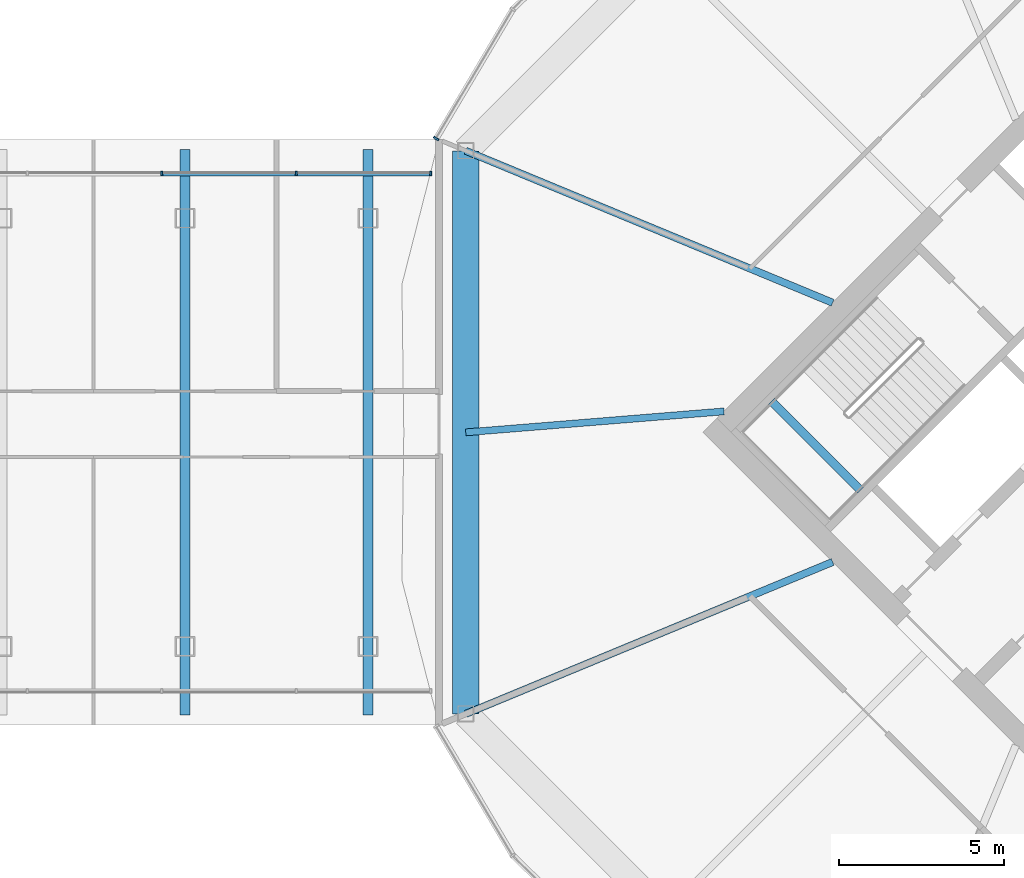
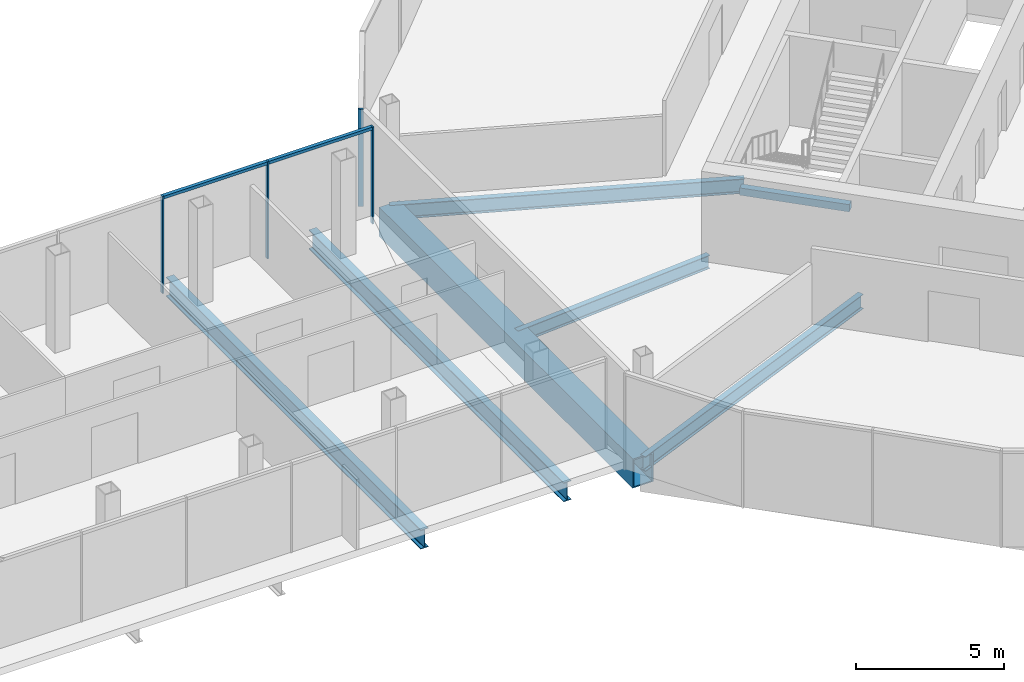
# One storey, part 14 of 26: 7 beams, 6 members, 2 elements without a shape of their own.
"""IFC4 building model written with IfcOpenShell, lengths in metres."""

from ifc_helpers import new_model, si_unit, direction, frame, origin, origin_2d, place, context, subcontext, project, spatial, rectangle, hollow_rectangle, i_section, extrude, material, material_profile, profile_set, type_object, element, aggregate, save


model = new_model("IFC4")

# Units and contexts
model_context = context("Model", 3, precision=1e-05, world=origin(), true_north=direction((0.0, 1.0)))
body_context = subcontext(model_context, "Body", "Model", "MODEL_VIEW")
ifc_project = project(units=[si_unit("LENGTHUNIT", "METRE"), si_unit("AREAUNIT", "SQUARE_METRE"), si_unit("VOLUMEUNIT", "CUBIC_METRE"), si_unit("PLANEANGLEUNIT", "RADIAN"), si_unit("MASSUNIT", "GRAM", prefix="KILO")], contexts=[model_context])

# Site, building, storey
site_placement = place(None, origin())
site = spatial("IfcSite", under=ifc_project, at=site_placement, CompositionType="ELEMENT")
building_placement = place(site_placement, origin())
building = spatial("IfcBuilding", under=site, at=building_placement, Name="Ogive Gate Towers", CompositionType="ELEMENT")
storey_placement = place(building_placement, frame((0.0, 0.0, 148.800048828125)))
storey = spatial("IfcBuildingStorey", under=building, at=storey_placement, Name="L35", CompositionType="ELEMENT", Elevation=148.800048828125)

# Beams
ifc_material_1 = material(Name="Steel SM460", Category="steel")
ifc_material_profile_1 = material_profile(ifc_material_1, i_section(OverallWidth=0.300048828125, OverallDepth=0.7900390625, WebThickness=0.014892578125, FlangeThickness=0.028076171875, FilletRadius=0.030029296875, at=origin_2d()), Name="HE 800 A")
ifc_profile_set_1 = profile_set([ifc_material_profile_1], Name="Steel SM460")
beam_type_1 = type_object("IfcBeamType", Name="Block floor beam HE 800 A", PredefinedType="BEAM", material=ifc_profile_set_1)
for number, where, z_axis, x_axis, name in (
    (1, (6.8388671875, -8.5859375, -0.695068359375), (0.0, 1.0, 0.0), (-1.0, 0.0, 0.0), "BR/L35/SBM004"),
    (2, (12.3955078125, -8.5859375, -0.695068359375), (0.0, 1.0, 0.0), (-1.0, 0.0, 0.0), "BR/L35/SBM005"),
):
    element("IfcBeam", number, at=place(storey_placement, frame(where, z_axis=z_axis, x_axis=x_axis)), inside=storey, type_object=beam_type_1, Name=name, PredefinedType="BEAM", context=body_context, shape_type="SweptSolid", body=[
        extrude(i_section(OverallWidth=0.300048828125, OverallDepth=0.7900390625, WebThickness=0.014892578125, FlangeThickness=0.028076171875, FilletRadius=0.030029296875, at=origin_2d()), origin(), (0.0, 0.0, 1.0), 17.171875),
    ])
ifc_material_profile_2 = material_profile(ifc_material_1, hollow_rectangle(XDim=0.800048828125, YDim=1.199951171875, WallThickness=0.050048828125, at=origin_2d()), Name="BX 1200x800x50")
ifc_profile_set_2 = profile_set([ifc_material_profile_2], Name="Steel SM460")
beam_type_2 = type_object("IfcBeamType", Name="Edge girder BX 1200x800x50", PredefinedType="BEAM", material=ifc_profile_set_2)
beam_1_placement = place(storey_placement, frame((15.360595703125, 8.549072265625, -0.900146484375), z_axis=(0.0, -1.0, 0.0), x_axis=(1.0, 0.0, 0.0)))
element("IfcBeam", 3, at=beam_1_placement, inside=storey, type_object=beam_type_2, Name="T2/L35/SBM024", PredefinedType="BEAM", context=body_context, shape_type="SweptSolid", body=[
    extrude(hollow_rectangle(XDim=0.800048828125, YDim=1.199951171875, WallThickness=0.050048828125, at=origin_2d()), origin(), (0.0, 0.0, 1.0), 17.09814453125),
])

# Curtain wall, members
ifc_material_2 = material(Name="Pale metal aluminium", Category="aluminium")
curtain_wall_type_1 = type_object("IfcCurtainWallType", Name="Gate block facade", PredefinedType="NOTDEFINED", material=ifc_material_2)
curtain_wall_1_placement = place(storey_placement, origin())
curtain_wall_1 = element("IfcCurtainWall", 4, at=curtain_wall_1_placement, inside=storey, type_object=curtain_wall_type_1, Name="CW3 BR ECW02", PredefinedType="NOTDEFINED")
ifc_material_profile_3 = material_profile(ifc_material_2, rectangle(XDim=0.139892578125, YDim=0.06005859375, at=origin_2d()), Name="60 x 140 aluminium box")
ifc_profile_set_3 = profile_set([ifc_material_profile_3], Name="Pale metal aluminium")
member_type_1 = type_object("IfcMemberType", Name="Gate block facade mullion 60 x 140", PredefinedType="MULLION", material=ifc_profile_set_3)
member_1_placement = place(storey_placement, frame((14.29150390625, 7.85595703125, -0.300048828125), z_axis=(0.0, 0.0, 1.0), x_axis=(0.0, 1.0, 0.0)))
member_1 = element("IfcMember", 5, at=member_1_placement, type_object=member_type_1, Name="CW3 mullion", PredefinedType="MULLION", context=body_context, shape_type="SweptSolid", body=[
    extrude(rectangle(XDim=0.139892578125, YDim=0.06005859375, at=origin_2d()), origin(), (0.0, 0.0, 1.0), 4.0),
])
member_2_placement = place(storey_placement, frame((10.208251953125, 7.85595703125, -0.300048828125), z_axis=(0.0, 0.0, 1.0), x_axis=(0.0, 1.0, 0.0)))
member_2 = element("IfcMember", 6, at=member_2_placement, type_object=member_type_1, Name="CW3 mullion", PredefinedType="MULLION", context=body_context, shape_type="SweptSolid", body=[
    extrude(rectangle(XDim=0.139892578125, YDim=0.06005859375, at=origin_2d()), origin(), (0.0, 0.0, 1.0), 4.0),
])
member_3_placement = place(storey_placement, frame((6.125, 7.85595703125, -0.300048828125), z_axis=(0.0, 0.0, 1.0), x_axis=(0.0, 1.0, 0.0)))
member_3 = element("IfcMember", 7, at=member_3_placement, type_object=member_type_1, Name="CW3 mullion", PredefinedType="MULLION", context=body_context, shape_type="SweptSolid", body=[
    extrude(rectangle(XDim=0.139892578125, YDim=0.06005859375, at=origin_2d()), origin(), (0.0, 0.0, 1.0), 4.0),
])
ifc_material_profile_4 = material_profile(ifc_material_2, rectangle(XDim=0.139892578125, YDim=0.1201171875, at=origin_2d()), Name="120 x 140 aluminium box")
ifc_profile_set_4 = profile_set([ifc_material_profile_4], Name="Pale metal aluminium")
member_type_2 = type_object("IfcMemberType", Name="Gate block facade transom 120 x 140", PredefinedType="USERDEFINED", material=ifc_profile_set_4)
member_4_placement = place(storey_placement, frame((14.261474609375, 7.85595703125, 3.639892578125), z_axis=(-1.0, 0.0, 0.0), x_axis=(0.0, -1.0, 0.0)))
member_4 = element("IfcMember", 8, at=member_4_placement, type_object=member_type_2, Name="CW3 transom", ObjectType="TRANSOM", PredefinedType="USERDEFINED", context=body_context, shape_type="SweptSolid", body=[
    extrude(rectangle(XDim=0.139892578125, YDim=0.1201171875, at=origin_2d()), origin(), (0.0, 0.0, 1.0), 4.023193359375),
])
member_5_placement = place(storey_placement, frame((10.17822265625, 7.85595703125, 3.639892578125), z_axis=(-1.0, 0.0, 0.0), x_axis=(0.0, -1.0, 0.0)))
member_5 = element("IfcMember", 9, at=member_5_placement, type_object=member_type_2, Name="CW3 transom", ObjectType="TRANSOM", PredefinedType="USERDEFINED", context=body_context, shape_type="SweptSolid", body=[
    extrude(rectangle(XDim=0.139892578125, YDim=0.1201171875, at=origin_2d()), origin(), (0.0, 0.0, 1.0), 4.0234375),
])
aggregate(curtain_wall_1, [member_1, member_2, member_4, member_3, member_5])

# Beams
ifc_material_3 = material(Name="Concrete C40/50", Category="concrete")
ifc_material_profile_5 = material_profile(ifc_material_3, rectangle(XDim=0.25, YDim=0.300048828125, at=origin_2d()), Name="RC 250x300")
ifc_profile_set_5 = profile_set([ifc_material_profile_5], Name="Concrete C40/50")
beam_type_3 = type_object("IfcBeamType", Name="Landing bearer RC 250x300", PredefinedType="BEAM", material=ifc_profile_set_5)
beam_2_placement = place(storey_placement, frame((24.64111328125, 0.94482421875, 1.64990234375), z_axis=(0.707138693938, -0.707074866995, 0.0), x_axis=(0.707074866995, 0.707138693938, 0.0)))
element("IfcBeam", 10, at=beam_2_placement, inside=storey, type_object=beam_type_3, Name="T2 L35 stair 1 landing bearer 1", PredefinedType="BEAM", context=body_context, shape_type="SweptSolid", body=[
    extrude(rectangle(XDim=0.25, YDim=0.300048828125, at=origin_2d()), origin(), (0.0, 0.0, 1.0), 3.824951171875),
])
ifc_material_4 = material(Name="Steel SM355", Category="steel")
ifc_material_profile_6 = material_profile(ifc_material_4, i_section(OverallWidth=0.2099609375, OverallDepth=0.550048828125, WebThickness=0.010986328125, FlangeThickness=0.01708984375, FilletRadius=0.02392578125, at=origin_2d()), Name="IPE 550")
ifc_profile_set_6 = profile_set([ifc_material_profile_6], Name="Steel SM355")
beam_type_4 = type_object("IfcBeamType", Name="Radial floor beam IPE 550", PredefinedType="BEAM", material=ifc_profile_set_6)
beam_3_placement = place(storey_placement, frame((23.201416015625, 0.636474609375, -0.574951171875), z_axis=(-0.996721544062, -0.080908365468, 0.0), x_axis=(0.080908365468, -0.996721544062, 0.0)))
element("IfcBeam", 11, at=beam_3_placement, inside=storey, type_object=beam_type_4, Name="T2/L35/SBM016", PredefinedType="BEAM", context=body_context, shape_type="SweptSolid", body=[
    extrude(i_section(OverallWidth=0.2099609375, OverallDepth=0.550048828125, WebThickness=0.010986328125, FlangeThickness=0.01708984375, FilletRadius=0.02392578125, at=origin_2d()), origin(), (0.0, 0.0, 1.0), 7.86669921875),
])
ifc_material_profile_7 = material_profile(ifc_material_4, i_section(OverallWidth=0.219970703125, OverallDepth=0.60009765625, WebThickness=0.011962890625, FlangeThickness=0.01904296875, FilletRadius=0.02392578125, at=origin_2d()), Name="IPE 600")
ifc_profile_set_7 = profile_set([ifc_material_profile_7], Name="Steel SM355")
beam_type_5 = type_object("IfcBeamType", Name="Radial floor beam IPE 600", PredefinedType="BEAM", material=ifc_profile_set_7)
for number, where, z_axis, x_axis, name in (
    (12, (26.5, -3.93505859375, -0.60009765625), (-0.923881839184, -0.382677863518, 0.0), (0.382677863518, -0.923881839184, 0.0), "T2/L35/SBM001"),
    (13, (26.5, 3.93505859375, -0.60009765625), (-0.923881839184, 0.382677863518, 0.0), (-0.382677863518, -0.923881839184, 0.0), "T2/L35/SBM015"),
):
    element("IfcBeam", number, at=place(storey_placement, frame(where, z_axis=z_axis, x_axis=x_axis)), inside=storey, type_object=beam_type_5, Name=name, PredefinedType="BEAM", context=body_context, shape_type="SweptSolid", body=[
        extrude(i_section(OverallWidth=0.219970703125, OverallDepth=0.60009765625, WebThickness=0.011962890625, FlangeThickness=0.01904296875, FilletRadius=0.02392578125, at=origin_2d()), origin(), (0.0, 0.0, 1.0), 12.05712890625),
    ])

# Curtain wall, member
curtain_wall_type_2 = type_object("IfcCurtainWallType", Name="Tower unitised wall, high zone", PredefinedType="NOTDEFINED", material=ifc_material_2)
curtain_wall_2_placement = place(storey_placement, origin())
curtain_wall_2 = element("IfcCurtainWall", 14, at=curtain_wall_2_placement, inside=storey, type_object=curtain_wall_type_2, Name="CW2 T2 ECW04", PredefinedType="NOTDEFINED")
ifc_material_profile_8 = material_profile(ifc_material_2, rectangle(XDim=0.179931640625, YDim=0.06005859375, at=origin_2d()), Name="60 x 180 aluminium box")
ifc_profile_set_8 = profile_set([ifc_material_profile_8], Name="Pale metal aluminium")
member_type_3 = type_object("IfcMemberType", Name="Tower unitised wall, high zone mullion 60 x 180", PredefinedType="MULLION", material=ifc_profile_set_8)
member_6_placement = place(storey_placement, frame((14.462890625, 8.91943359375, -0.300048828125), z_axis=(0.0, 0.0, 1.0), x_axis=(-0.860386439326, 0.509642202947, 0.0)))
member_6 = element("IfcMember", 15, at=member_6_placement, type_object=member_type_3, Name="CW2 mullion", PredefinedType="MULLION", context=body_context, shape_type="SweptSolid", body=[
    extrude(rectangle(XDim=0.179931640625, YDim=0.06005859375, at=origin_2d()), origin(), (0.0, 0.0, 1.0), 4.0),
])
aggregate(curtain_wall_2, [member_6])

save(model, "model.ifc")
